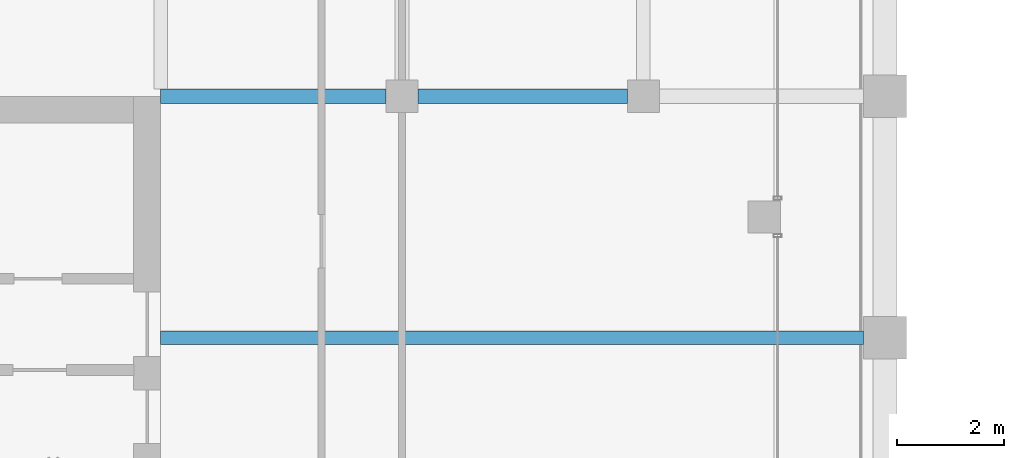
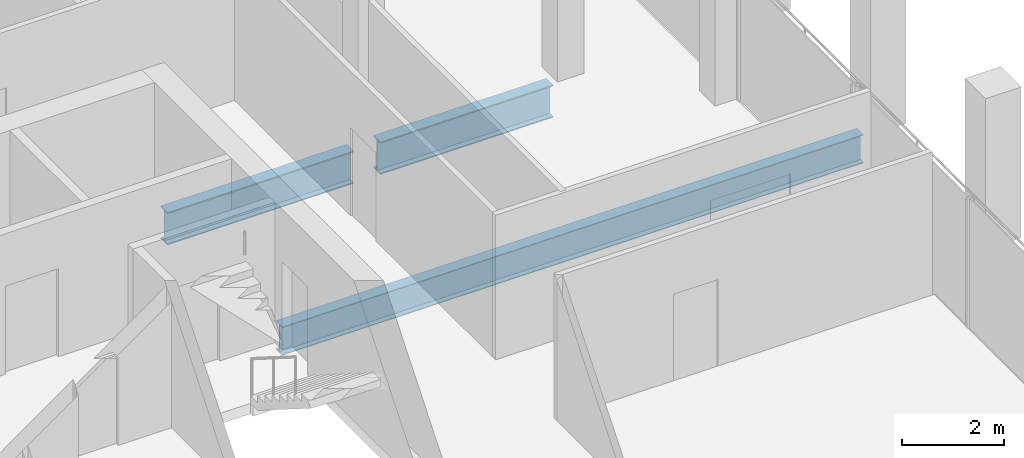
# One storey, part 18 of 40: 3 beams.
"""IFC4 building model written with IfcOpenShell, lengths in metres."""

import ifcopenshell
import ifcopenshell.guid

model = None  # the IFC model being written
_history = None  # IfcOwnerHistory: only IFC2X3 demands one
_inside = {}  # id of a spatial element -> (the spatial element, [elements in it])
_under = {}  # id of a project, library or spatial element -> (it, [spatial elements below it])
_declared = {}  # id of a project -> (the project, [libraries it declares])
_typed = {}  # id of a type object -> (the type object, [elements of that type])
_made_of = {}  # id of a material, layer set ... -> (it, [elements and type objects made of it])


def new_model(schema):
    """Start an empty IFC model of exactly this schema.

    Asked for "IFC4X3", IfcOpenShell would pick the latest addendum, in which some entities
    have other attributes; the version numbers below select the first issue.
    IFC2X3 requires an IfcOwnerHistory on every rooted entity: one is made here for all.
    """
    global model, _history
    if schema == "IFC4X3":
        model = ifcopenshell.file(schema_version=(4, 3, 0, 0))
    else:
        model = ifcopenshell.file(schema=schema)
    _inside.clear()
    _under.clear()
    _declared.clear()
    _typed.clear()
    _made_of.clear()
    _history = None
    if model.schema == "IFC2X3":
        org = make("IfcOrganization", Name="unknown")
        user = make(
            "IfcPersonAndOrganization",
            ThePerson=make("IfcPerson", FamilyName="unknown"),
            TheOrganization=org,
        )
        app = make(
            "IfcApplication",
            ApplicationDeveloper=org,
            Version="unknown",
            ApplicationFullName="unknown",
            ApplicationIdentifier="unknown",
        )
        _history = make(
            "IfcOwnerHistory",
            OwningUser=user,
            OwningApplication=app,
            ChangeAction="ADDED",
            CreationDate=0,
        )
    return model


def make(cls, **values):
    """One entity of the class cls with the attributes given. An attribute that is None is left unset."""
    return model.create_entity(
        cls, **{name: value for name, value in values.items() if value is not None}
    )


def rooted(cls, **values):
    """An entity with a GlobalId (a new one), such as an element, a storey or a relation."""
    return make(cls, GlobalId=ifcopenshell.guid.new(), OwnerHistory=_history, **values)


def si_unit(unit_type, name, prefix=None):
    """IfcSIUnit, for example si_unit("LENGTHUNIT", "METRE", prefix="MILLI")."""
    return make("IfcSIUnit", UnitType=unit_type, Prefix=prefix, Name=name)


def assignment(units):
    """IfcUnitAssignment: the units of a project."""
    return None if units is None else make("IfcUnitAssignment", Units=units)


def point(xyz):
    """IfcCartesianPoint."""
    return None if xyz is None else make("IfcCartesianPoint", Coordinates=xyz)


def direction(xyz):
    """IfcDirection."""
    return None if xyz is None else make("IfcDirection", DirectionRatios=xyz)


def frame(location, z_axis=None, x_axis=None):
    """IfcAxis2Placement3D, a coordinate frame: its origin and axes. An axis left out is left unset."""
    return make(
        "IfcAxis2Placement3D",
        Location=point(location),
        Axis=direction(z_axis),
        RefDirection=direction(x_axis),
    )


def frame_2d(location, x_axis=None):
    """IfcAxis2Placement2D, a coordinate frame in the plane: its origin and x axis."""
    return make(
        "IfcAxis2Placement2D", Location=point(location), RefDirection=direction(x_axis)
    )


def origin():
    """The frame at (0, 0, 0) with its axes left unset."""
    return frame((0.0, 0.0, 0.0))


def origin_2d():
    """The frame at (0, 0) in the plane with its x axis left unset."""
    return frame_2d((0.0, 0.0))


def place(relative_to, where):
    """IfcLocalPlacement: puts the frame where relative to a parent placement (None: the world)."""
    return make(
        "IfcLocalPlacement", PlacementRelTo=relative_to, RelativePlacement=where
    )


def context(
    kind, dimensions, precision=None, world=None, true_north=None, identifier=None
):
    """IfcGeometricRepresentationContext, for example the 3D "Model" context."""
    return make(
        "IfcGeometricRepresentationContext",
        ContextIdentifier=identifier,
        ContextType=kind,
        CoordinateSpaceDimension=dimensions,
        Precision=precision,
        WorldCoordinateSystem=world,
        TrueNorth=true_north,
    )


def subcontext(parent, identifier, kind, view, scale=None):
    """IfcGeometricRepresentationSubContext, for example "Body" below "Model"."""
    return make(
        "IfcGeometricRepresentationSubContext",
        ContextIdentifier=identifier,
        ContextType=kind,
        ParentContext=parent,
        TargetScale=scale,
        TargetView=view,
    )


def project(units=None, contexts=None):
    """IfcProject with its units and contexts."""
    return rooted(
        "IfcProject",
        Name="project",
        RepresentationContexts=contexts,
        UnitsInContext=assignment(units),
    )


def spatial(cls, under=None, at=None, **own):
    """A site, building, storey or space (cls), placed at a placement, below another one or the project."""
    s = rooted(cls, ObjectPlacement=at, **own)
    if under is not None:
        _under.setdefault(under.id(), (under, []))[1].append(s)
    return s


def profile(cls, at=None, kind="AREA", **sizes):
    """A parametric profile (cls). Its sizes go by their IFC names, for example OverallWidth=200.0."""
    return make(cls, ProfileType=kind, Position=at, **sizes)


def i_section(**sizes):
    """IfcIShapeProfileDef."""
    return profile("IfcIShapeProfileDef", **sizes)


def extrude(swept, where, along, depth):
    """IfcExtrudedAreaSolid: the profile swept, set in the frame where, extruded along a direction by depth."""
    return make(
        "IfcExtrudedAreaSolid",
        SweptArea=swept,
        Position=where,
        ExtrudedDirection=direction(along),
        Depth=depth,
    )


def shape(context_of_items, identifier, shape_type, items):
    """IfcShapeRepresentation: the items that make up one representation, for example the "Body"."""
    return make(
        "IfcShapeRepresentation",
        ContextOfItems=context_of_items,
        RepresentationIdentifier=identifier,
        RepresentationType=shape_type,
        Items=items,
    )


def material(Name=None, Category=None):
    """IfcMaterial."""
    return make("IfcMaterial", Name=Name, Category=Category)


def material_profile(
    of_material, cross_section, Name=None, Category=None, Priority=None
):
    """IfcMaterialProfile: a cross section and its material."""
    return make(
        "IfcMaterialProfile",
        Name=Name,
        Material=of_material,
        Profile=cross_section,
        Priority=Priority,
        Category=Category,
    )


def profile_set(profiles, Name=None, composite=None):
    """IfcMaterialProfileSet."""
    return make(
        "IfcMaterialProfileSet",
        Name=Name,
        MaterialProfiles=profiles,
        CompositeProfile=composite,
    )


def made_of(thing, what):
    """Note that an element or type object is made of a material, layer set ...; save() writes the relation."""
    if what is not None:
        _made_of.setdefault(what.id(), (what, []))[1].append(thing)
    return thing


def type_object(cls, material=None, **own):
    """A type object (cls), such as IfcWallType, which elements share."""
    return made_of(rooted(cls, **own), material)


def element(
    cls,
    number,
    at=None,
    inside=None,
    cuts=None,
    type_object=None,
    material=None,
    context=None,
    identifier="Body",
    shape_type=None,
    held_by="IfcProductDefinitionShape",
    body=None,
    shapes=None,
    **own,
):
    """One element of the class cls, such as IfcWall. Its Tag is "e" and its number.

    at: its placement. inside: the storey or other place that contains it. cuts: it is an
    opening in that element (IfcRelVoidsElement). A single representation is given by context,
    identifier, shape_type and body (its items); several are given by shapes. held_by: the class
    of the entity that holds the representations. save() writes the other relations.
    """
    e = rooted(cls, Tag="e%d" % number, ObjectPlacement=at, **own)
    if body is not None:
        shapes = [shape(context, identifier, shape_type, body)]
    if shapes is not None:
        e.Representation = make(held_by, Representations=shapes)
    if inside is not None:
        _inside.setdefault(inside.id(), (inside, []))[1].append(e)
    if cuts is not None:
        rooted(
            "IfcRelVoidsElement", RelatingBuildingElement=cuts, RelatedOpeningElement=e
        )
    if type_object is not None:
        _typed.setdefault(type_object.id(), (type_object, []))[1].append(e)
    return made_of(e, material)


def aggregate(whole, parts):
    """IfcRelAggregates: a whole, such as a stair, and the parts it consists of."""
    return rooted("IfcRelAggregates", RelatingObject=whole, RelatedObjects=parts)


def save(model, path):
    """Write the relations noted so far, then the file.

    IfcRelAggregates (storeys below a building ...), IfcRelContainedInSpatialStructure (elements
    in a storey), IfcRelDefinesByType, IfcRelAssociatesMaterial and IfcRelDeclares: one each for
    every whole, place, type object, material and project.
    """
    for whole, parts in _under.values():
        aggregate(whole, parts)
    for where, things in _inside.values():
        rooted(
            "IfcRelContainedInSpatialStructure",
            RelatedElements=things,
            RelatingStructure=where,
        )
    for kind, things in _typed.values():
        rooted("IfcRelDefinesByType", RelatedObjects=things, RelatingType=kind)
    for what, things in _made_of.values():
        rooted("IfcRelAssociatesMaterial", RelatedObjects=things, RelatingMaterial=what)
    for by, libraries in _declared.values():
        rooted("IfcRelDeclares", RelatingContext=by, RelatedDefinitions=libraries)
    model.write(path)


model = new_model("IFC4")

# Units and contexts
model_context = context("Model", 3, precision=1e-05, world=origin(), true_north=direction((0.0, 1.0)))
body_context = subcontext(model_context, "Body", "Model", "MODEL_VIEW")
ifc_project = project(units=[si_unit("LENGTHUNIT", "METRE"), si_unit("AREAUNIT", "SQUARE_METRE"), si_unit("VOLUMEUNIT", "CUBIC_METRE"), si_unit("PLANEANGLEUNIT", "RADIAN"), si_unit("MASSUNIT", "GRAM", prefix="KILO")], contexts=[model_context])

# Site, building, storey
site_placement = place(None, origin())
site = spatial("IfcSite", under=ifc_project, at=site_placement, CompositionType="ELEMENT")
building_placement = place(site_placement, origin())
building = spatial("IfcBuilding", under=site, at=building_placement, Name="Altepetl Exchange Towers", CompositionType="ELEMENT")
storey_placement = place(building_placement, frame((0.0, 0.0, 199.199951171875)))
storey = spatial("IfcBuildingStorey", under=building, at=storey_placement, Name="L50", CompositionType="ELEMENT", Elevation=199.199951171875)

# Beams
ifc_material = material(Name="Steel S355", Category="steel")
ifc_material_profile_1 = material_profile(ifc_material, i_section(OverallWidth=0.2529296875, OverallDepth=0.677978515625, WebThickness=0.01171875, FlangeThickness=0.016357421875, at=origin_2d()), Name="W27X84")
ifc_profile_set_1 = profile_set([ifc_material_profile_1], Name="Steel S355")
beam_type_1 = type_object("IfcBeamType", Name="Floor beam W27X84", PredefinedType="BEAM", material=ifc_profile_set_1)
beam_1_placement = place(storey_placement, frame((58.5, 54.0, -0.489013671875), z_axis=(1.0, 0.0, 0.0), x_axis=(0.0, 1.0, 0.0)))
element("IfcBeam", 1, at=beam_1_placement, inside=storey, type_object=beam_type_1, Name="bm:A:L50:011", PredefinedType="BEAM", context=body_context, shape_type="SweptSolid", body=[
    extrude(i_section(OverallWidth=0.2529296875, OverallDepth=0.677978515625, WebThickness=0.01171875, FlangeThickness=0.016357421875, at=origin_2d()), origin(), (0.0, 0.0, 1.0), 13.10009765625),
])
ifc_material_profile_2 = material_profile(ifc_material, i_section(OverallWidth=0.26806640625, OverallDepth=0.77392578125, WebThickness=0.015380859375, FlangeThickness=0.025390625, at=origin_2d()), Name="W30X132")
ifc_profile_set_2 = profile_set([ifc_material_profile_2], Name="Steel S355")
beam_type_2 = type_object("IfcBeamType", Name="Girder W30X132", PredefinedType="BEAM", material=ifc_profile_set_2)
beam_2_placement = place(storey_placement, frame((58.5, 58.5, -0.536865234375), z_axis=(1.0, 0.0, 0.0), x_axis=(0.0, 1.0, 0.0)))
element("IfcBeam", 2, at=beam_2_placement, inside=storey, type_object=beam_type_2, Name="gd:A:L50:000", PredefinedType="BEAM", context=body_context, shape_type="SweptSolid", body=[
    extrude(i_section(OverallWidth=0.26806640625, OverallDepth=0.77392578125, WebThickness=0.015380859375, FlangeThickness=0.025390625, at=origin_2d()), origin(), (0.0, 0.0, 1.0), 4.199951171875),
])
beam_3_placement = place(storey_placement, frame((63.300048828125, 58.5, -0.536865234375), z_axis=(1.0, 0.0, 0.0), x_axis=(0.0, 1.0, 0.0)))
element("IfcBeam", 3, at=beam_3_placement, inside=storey, type_object=beam_type_2, Name="gd:A:L50:001", PredefinedType="BEAM", context=body_context, shape_type="SweptSolid", body=[
    extrude(i_section(OverallWidth=0.26806640625, OverallDepth=0.77392578125, WebThickness=0.015380859375, FlangeThickness=0.025390625, at=origin_2d()), origin(), (0.0, 0.0, 1.0), 3.89990234375),
])

save(model, "model.ifc")
